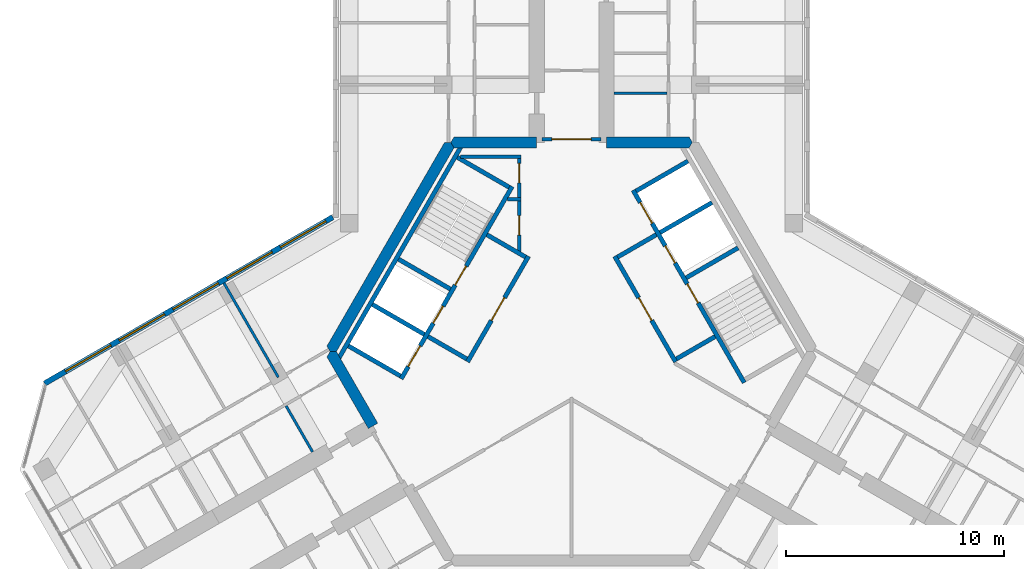
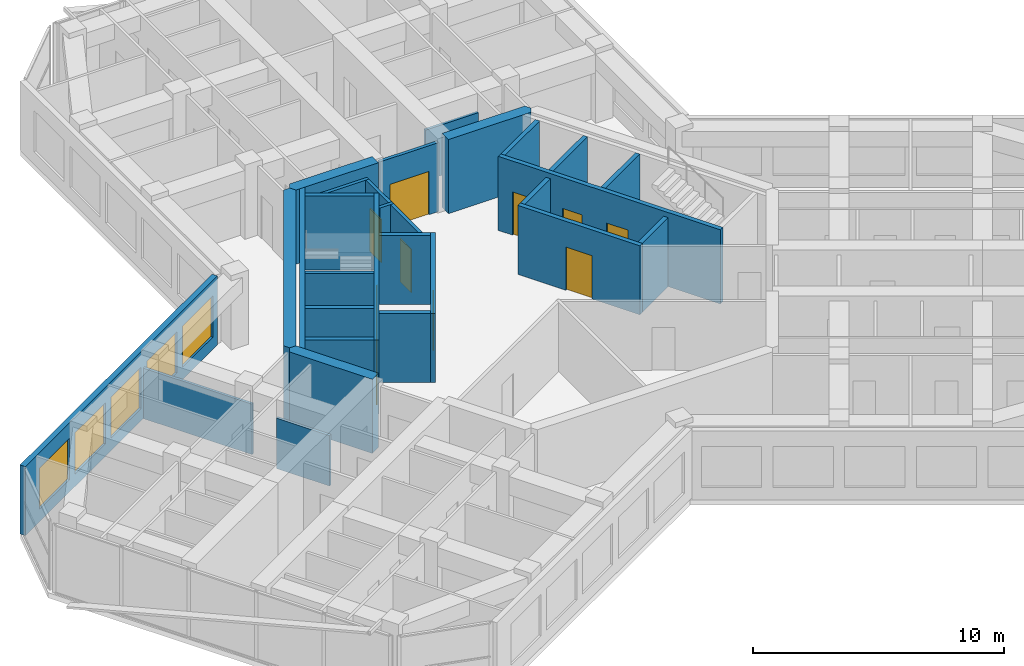
# One storey, part 9 of 14: 28 walls, 11 doors, 5 windows, 16 openings.
"""IFC4 building model written with IfcOpenShell, lengths in metres."""

from ifc_helpers import new_model, si_unit, direction, frame, frame_2d, origin, place, context, subcontext, project, spatial, polyline, rectangle, outline, extrude, material, layer, layer_set, type_object, element, fill, save


model = new_model("IFC4")

# Units and contexts
model_context = context("Model", 3, precision=1e-05, world=origin(), true_north=direction((0.0, 1.0)))
body_context = subcontext(model_context, "Body", "Model", "MODEL_VIEW")
ifc_project = project(units=[si_unit("LENGTHUNIT", "METRE"), si_unit("AREAUNIT", "SQUARE_METRE"), si_unit("VOLUMEUNIT", "CUBIC_METRE"), si_unit("PLANEANGLEUNIT", "RADIAN"), si_unit("MASSUNIT", "GRAM", prefix="KILO")], contexts=[model_context])

# Site, building, storey
site_placement = place(None, origin())
site = spatial("IfcSite", under=ifc_project, at=site_placement, CompositionType="ELEMENT")
building_placement = place(site_placement, origin())
building = spatial("IfcBuilding", under=site, at=building_placement, Name="Kosmar Iwan School Tower", CompositionType="ELEMENT")
storey_placement = place(building_placement, frame((0.0, 0.0, 292.60009765625)))
storey = spatial("IfcBuildingStorey", under=building, at=storey_placement, Name="L74", CompositionType="ELEMENT", Elevation=292.60009765625)

# Wall, openings, doors
ifc_material_1 = material(Name="Gypsum board on steel studs, fire-rated", Category="steel")
ifc_layer_1 = layer(ifc_material_1, 0.14990234375)
ifc_layer_set_1 = layer_set([ifc_layer_1], Name="Core room partition 150")
wall_type_1 = type_object("IfcWallType", Name="Core room partition 150", PredefinedType="PARTITIONING", material=ifc_layer_set_1)
wall_1_placement = place(storey_placement, frame((-2.39990234375, 9.014892578125, 0.0), z_axis=(0.0, 0.0, 1.0), x_axis=(0.0, -1.0, 0.0)))
wall_1 = element("IfcWall", 1, at=wall_1_placement, inside=storey, type_object=wall_type_1, Name="Core room partition L74-CW1", PredefinedType="PARTITIONING", context=body_context, shape_type="SweptSolid", body=[
    extrude(rectangle(XDim=4.484130859375, YDim=0.14990234375, at=frame_2d((2.2421875, 0.0))), origin(), (0.0, 0.0, 1.0), 3.349853515625),
])
opening_1_placement = place(wall_1_placement, frame((0.375, 0.0, 0.0)))
opening_1 = element("IfcOpeningElement", 2, at=opening_1_placement, cuts=wall_1, Name="Opening D14", PredefinedType="OPENING", context=body_context, shape_type="SweptSolid", body=[
    extrude(rectangle(XDim=0.89990234375, YDim=2.10009765625, at=frame_2d((0.449951171875, 1.050048828125))), frame((0.0, 0.0869140625, 0.0), z_axis=(0.0, -1.0, 0.0), x_axis=(1.0, 0.0, 0.0)), (0.0, 0.0, 1.0), 0.173828125),
])
opening_2_placement = place(wall_1_placement, frame((2.77490234375, 0.0, 0.0)))
opening_2 = element("IfcOpeningElement", 3, at=opening_2_placement, cuts=wall_1, Name="Opening D14", PredefinedType="OPENING", context=body_context, shape_type="SweptSolid", body=[
    extrude(rectangle(XDim=0.89990234375, YDim=2.10009765625, at=frame_2d((0.449951171875, 1.050048828125))), frame((0.0, 0.0869140625, 0.0), z_axis=(0.0, -1.0, 0.0), x_axis=(1.0, 0.0, 0.0)), (0.0, 0.0, 1.0), 0.173828125),
])
ifc_material_2 = material(Name="Timber fire door in steel frame", Category="steel")
door_type_1 = type_object("IfcDoorType", Name="Core room door 900x2100", OperationType="SINGLE_SWING_LEFT", PredefinedType="DOOR", material=ifc_material_2)
door_1_placement = place(opening_1_placement, origin())
door_1 = element("IfcDoor", 4, at=door_1_placement, inside=storey, type_object=door_type_1, Name="Electrical riser and switch room door L74 1", OperationType="SINGLE_SWING_LEFT", OverallHeight=2.10009765625, OverallWidth=0.89990234375, PredefinedType="DOOR", context=body_context, shape_type="SweptSolid", body=[
    extrude(rectangle(XDim=0.89990234375, YDim=2.10009765625, at=frame_2d((0.449951171875, 1.050048828125))), frame((0.0, 0.02490234375, 0.0), z_axis=(0.0, -1.0, 0.0), x_axis=(1.0, 0.0, 0.0)), (0.0, 0.0, 1.0), 0.050048828125),
])
fill(opening_1, door_1)
door_2_placement = place(opening_2_placement, origin())
door_2 = element("IfcDoor", 5, at=door_2_placement, inside=storey, type_object=door_type_1, Name="Plumbing and wet riser door L74 2", OperationType="SINGLE_SWING_RIGHT", OverallHeight=2.10009765625, OverallWidth=0.89990234375, PredefinedType="DOOR", context=body_context, shape_type="SweptSolid", body=[
    extrude(rectangle(XDim=0.89990234375, YDim=2.10009765625, at=frame_2d((0.449951171875, 1.050048828125))), frame((0.0, 0.02490234375, 0.0), z_axis=(0.0, -1.0, 0.0), x_axis=(1.0, 0.0, 0.0)), (0.0, 0.0, 1.0), 0.050048828125),
])
fill(opening_2, door_2)

# Walls
wall_2_placement = place(storey_placement, frame((-2.324951171875, 6.985107421875, 0.0), z_axis=(0.0, 0.0, 1.0), x_axis=(-1.0, 0.0, 0.0)))
element("IfcWall", 6, at=wall_2_placement, inside=storey, type_object=wall_type_1, Name="Core room partition L74-CW2", PredefinedType="PARTITIONING", context=body_context, shape_type="SweptSolid", body=[
    extrude(rectangle(XDim=0.623779296875, YDim=0.14990234375, at=frame_2d((0.31201171875, 0.0))), origin(), (0.0, 0.0, 1.0), 3.349853515625),
])
wall_3_placement = place(storey_placement, frame((-5.089599609375, 8.93994140625, 0.0), z_axis=(0.0, 0.0, 1.0), x_axis=(1.0, 0.0, 0.0)))
element("IfcWall", 7, at=wall_3_placement, inside=storey, type_object=wall_type_1, Name="Core room partition L74-CW3", PredefinedType="PARTITIONING", context=body_context, shape_type="SweptSolid", body=[
    extrude(rectangle(XDim=2.7646484375, YDim=0.14990234375, at=frame_2d((1.38232421875, 0.0))), origin(), (0.0, 0.0, 1.0), 3.349853515625),
])
ifc_material_3 = material(Name="Concrete C50/60", Category="concrete")
ifc_layer_2 = layer(ifc_material_3, 0.5)
ifc_layer_set_2 = layer_set([ifc_layer_2], Name="Core wall 500")
wall_type_2 = type_object("IfcWallType", Name="Core wall 500", PredefinedType="SHEAR", material=ifc_layer_set_2)
wall_4_placement = place(storey_placement, origin())
element("IfcWall", 8, at=wall_4_placement, inside=storey, type_object=wall_type_2, Name="Core wall F090a", PredefinedType="SHEAR", context=body_context, shape_type="SweptSolid", body=[
    extrude(outline(polyline([(1.60009765625, 9.35009765625), (5.398193359375, 9.35009765625), (5.54248046875, 9.60009765625), (5.398193359375, 9.85009765625), (1.60009765625, 9.85009765625), (1.60009765625, 9.35009765625)])), origin(), (0.0, 0.0, 1.0), 3.599853515625),
])
wall_5_placement = place(storey_placement, origin())
element("IfcWall", 9, at=wall_5_placement, inside=storey, type_object=wall_type_2, Name="Core wall F090b", PredefinedType="SHEAR", context=body_context, shape_type="SweptSolid", body=[
    extrude(outline(polyline([(-5.398193359375, 9.35009765625), (-1.60009765625, 9.35009765625), (-1.60009765625, 9.85009765625), (-5.398193359375, 9.85009765625), (-5.54248046875, 9.60009765625), (-5.398193359375, 9.35009765625)])), origin(), (0.0, 0.0, 1.0), 3.599853515625),
])
wall_6_placement = place(storey_placement, origin())
element("IfcWall", 10, at=wall_6_placement, inside=storey, type_object=wall_type_2, Name="Core wall F150", PredefinedType="SHEAR", context=body_context, shape_type="SweptSolid", body=[
    extrude(outline(polyline([(-11.085205078125, 0.0), (-10.79638671875, 0.0), (-5.398193359375, 9.35009765625), (-5.54248046875, 9.60009765625), (-5.831298828125, 9.60009765625), (-11.2294921875, 0.25), (-11.085205078125, 0.0)])), origin(), (0.0, 0.0, 1.0), 3.599853515625),
])
wall_7_placement = place(storey_placement, origin())
element("IfcWall", 11, at=wall_7_placement, inside=storey, type_object=wall_type_2, Name="Core wall F210a", PredefinedType="SHEAR", context=body_context, shape_type="SweptSolid", body=[
    extrude(outline(polyline([(-9.330322265625, -3.539306640625), (-8.897216796875, -3.289306640625), (-10.79638671875, 0.0), (-11.085205078125, 0.0), (-11.2294921875, -0.25), (-9.330322265625, -3.539306640625)])), origin(), (0.0, 0.0, 1.0), 3.599853515625),
])

# Wall, opening, door
ifc_material_4 = material(Name="Steel framed glazed screen", Category="steel")
ifc_layer_3 = layer(ifc_material_4, 0.14990234375)
ifc_layer_set_3 = layer_set([ifc_layer_3], Name="Corridor screen wall 150")
wall_type_3 = type_object("IfcWallType", Name="Corridor screen wall 150", PredefinedType="PARTITIONING", material=ifc_layer_set_3)
wall_8_placement = place(storey_placement, frame((1.35009765625, 9.75, 0.0), z_axis=(0.0, 0.0, 1.0), x_axis=(-1.0, 0.0, 0.0)))
wall_8 = element("IfcWall", 12, at=wall_8_placement, inside=storey, type_object=wall_type_3, Name="Corridor screen A L74", PredefinedType="PARTITIONING", context=body_context, shape_type="SweptSolid", body=[
    extrude(rectangle(XDim=2.7001953125, YDim=0.14990234375, at=frame_2d((1.35009765625, 0.0))), origin(), (0.0, 0.0, 1.0), 3.349853515625),
])
opening_3_placement = place(wall_8_placement, frame((0.449951171875, 0.0, 0.0)))
opening_3 = element("IfcOpeningElement", 13, at=opening_3_placement, cuts=wall_8, Name="Opening D9", PredefinedType="OPENING", context=body_context, shape_type="SweptSolid", body=[
    extrude(rectangle(XDim=1.800048828125, YDim=2.10009765625, at=frame_2d((0.89990234375, 1.050048828125))), frame((0.0, 0.0869140625, 0.0), z_axis=(0.0, -1.0, 0.0), x_axis=(1.0, 0.0, 0.0)), (0.0, 0.0, 1.0), 0.173828125),
])
ifc_material_5 = material(Name="Steel framed glazed smoke door", Category="steel")
door_type_2 = type_object("IfcDoorType", Name="Corridor smoke door pair 1800x2100", OperationType="DOUBLE_DOOR_DOUBLE_SWING", PredefinedType="DOOR", material=ifc_material_5)
door_3_placement = place(opening_3_placement, origin())
door_3 = element("IfcDoor", 14, at=door_3_placement, inside=storey, type_object=door_type_2, Name="Corridor doors A L74", OperationType="DOUBLE_DOOR_DOUBLE_SWING", OverallHeight=2.10009765625, OverallWidth=1.800048828125, PredefinedType="DOOR", context=body_context, shape_type="SweptSolid", body=[
    extrude(rectangle(XDim=1.800048828125, YDim=2.10009765625, at=frame_2d((0.89990234375, 1.050048828125))), frame((0.0, 0.02490234375, 0.0), z_axis=(0.0, -1.0, 0.0), x_axis=(1.0, 0.0, 0.0)), (0.0, 0.0, 1.0), 0.050048828125),
])
fill(opening_3, door_3)

# Walls
ifc_material_6 = material(Name="Gypsum board on steel studs", Category="steel")
ifc_layer_4 = layer(ifc_material_6, 0.1201171875)
ifc_layer_set_4 = layer_set([ifc_layer_4], Name="Dwelling partition 120")
wall_type_4 = type_object("IfcWallType", Name="Dwelling partition 120", PredefinedType="PARTITIONING", material=ifc_layer_set_4)
wall_9_placement = place(storey_placement, frame((1.949951171875, 11.85009765625, 0.0), z_axis=(0.0, 0.0, 1.0), x_axis=(1.0, 0.0, 0.0)))
element("IfcWall", 15, at=wall_9_placement, inside=storey, type_object=wall_type_4, Name="Partition L74-AR1-Y1", PredefinedType="PARTITIONING", context=body_context, shape_type="SweptSolid", body=[
    extrude(rectangle(XDim=2.43994140625, YDim=0.1201171875, at=frame_2d((1.219970703125, 0.0))), origin(), (0.0, 0.0, 1.0), 2.449951171875),
])
wall_10_placement = place(storey_placement, frame((-13.4638671875, -1.179931640625, 0.0), z_axis=(0.0, 0.0, 1.0), x_axis=(-0.499975153383, 0.86603974851, 0.0)))
element("IfcWall", 16, at=wall_10_placement, inside=storey, type_object=wall_type_4, Name="Partition L74-BR1-X1", PredefinedType="PARTITIONING", context=body_context, shape_type="SweptSolid", body=[
    extrude(rectangle(XDim=4.989990234375, YDim=0.1201171875, at=frame_2d((2.4951171875, 0.0))), origin(), (0.0, 0.0, 1.0), 2.449951171875),
])
wall_11_placement = place(storey_placement, frame((-11.886962890625, -4.611328125, 0.0), z_axis=(0.0, 0.0, 1.0), x_axis=(-0.499959183527, 0.866048967903, 0.0)))
element("IfcWall", 17, at=wall_11_placement, inside=storey, type_object=wall_type_4, Name="Partition L74-BR1-Y1", PredefinedType="PARTITIONING", context=body_context, shape_type="SweptSolid", body=[
    extrude(rectangle(XDim=2.440185546875, YDim=0.1201171875, at=frame_2d((1.22021484375, 0.0))), origin(), (0.0, 0.0, 1.0), 2.449951171875),
])

# Wall, openings, windows
ifc_material_7 = material(Name="Black aluminium rainscreen on insulated framing", Category="aluminium")
ifc_layer_5 = layer(ifc_material_7, 0.25)
ifc_layer_set_5 = layer_set([ifc_layer_5], Name="External wall rainscreen 250")
wall_type_5 = type_object("IfcWallType", Name="External wall rainscreen 250", PredefinedType="SOLIDWALL", material=ifc_layer_set_5)
wall_12_placement = place(storey_placement, frame((-10.962890625, 6.170166015625, 0.0), z_axis=(0.0, 0.0, 1.0), x_axis=(-0.866025637253, -0.499999595621, 0.0)))
wall_12 = element("IfcWall", 18, at=wall_12_placement, inside=storey, type_object=wall_type_5, Name="External wall BR L74", PredefinedType="SOLIDWALL", context=body_context, shape_type="SweptSolid", body=[
    extrude(rectangle(XDim=15.2763671875, YDim=0.25, at=frame_2d((7.63818359375, 0.0))), origin(), (0.0, 0.0, 1.0), 3.349853515625),
])
opening_4_placement = place(wall_12_placement, frame((0.365966796875, 0.0, 0.60009765625)))
opening_4 = element("IfcOpeningElement", 19, at=opening_4_placement, cuts=wall_12, Name="Opening W6", PredefinedType="OPENING", context=body_context, shape_type="SweptSolid", body=[
    extrude(rectangle(XDim=2.39990234375, YDim=2.0, at=frame_2d((1.199951171875, 1.0))), frame((0.0, 0.136962890625, 0.0), z_axis=(0.0, -1.0, 0.0), x_axis=(1.0, 0.0, 0.0)), (0.0, 0.0, 1.0), 0.27392578125),
])
opening_5_placement = place(wall_12_placement, frame((3.216064453125, 0.0, 0.60009765625)))
opening_5 = element("IfcOpeningElement", 20, at=opening_5_placement, cuts=wall_12, Name="Opening W6", PredefinedType="OPENING", context=body_context, shape_type="SweptSolid", body=[
    extrude(rectangle(XDim=2.39990234375, YDim=2.0, at=frame_2d((1.199951171875, 1.0))), frame((0.0, 0.136962890625, 0.0), z_axis=(0.0, -1.0, 0.0), x_axis=(1.0, 0.0, 0.0)), (0.0, 0.0, 1.0), 0.27392578125),
])
opening_6_placement = place(wall_12_placement, frame((6.06591796875, 0.0, 0.60009765625)))
opening_6 = element("IfcOpeningElement", 21, at=opening_6_placement, cuts=wall_12, Name="Opening W6", PredefinedType="OPENING", context=body_context, shape_type="SweptSolid", body=[
    extrude(rectangle(XDim=2.39990234375, YDim=2.0, at=frame_2d((1.199951171875, 1.0))), frame((0.0, 0.136962890625, 0.0), z_axis=(0.0, -1.0, 0.0), x_axis=(1.0, 0.0, 0.0)), (0.0, 0.0, 1.0), 0.27392578125),
])
opening_7_placement = place(wall_12_placement, frame((8.916015625, 0.0, 0.60009765625)))
opening_7 = element("IfcOpeningElement", 22, at=opening_7_placement, cuts=wall_12, Name="Opening W6", PredefinedType="OPENING", context=body_context, shape_type="SweptSolid", body=[
    extrude(rectangle(XDim=2.39990234375, YDim=2.0, at=frame_2d((1.199951171875, 1.0))), frame((0.0, 0.136962890625, 0.0), z_axis=(0.0, -1.0, 0.0), x_axis=(1.0, 0.0, 0.0)), (0.0, 0.0, 1.0), 0.27392578125),
])
opening_8_placement = place(wall_12_placement, frame((11.76611328125, 0.0, 0.60009765625)))
opening_8 = element("IfcOpeningElement", 23, at=opening_8_placement, cuts=wall_12, Name="Opening W6", PredefinedType="OPENING", context=body_context, shape_type="SweptSolid", body=[
    extrude(rectangle(XDim=2.39990234375, YDim=2.0, at=frame_2d((1.199951171875, 1.0))), frame((0.0, 0.136962890625, 0.0), z_axis=(0.0, -1.0, 0.0), x_axis=(1.0, 0.0, 0.0)), (0.0, 0.0, 1.0), 0.27392578125),
])
ifc_material_8 = material(Name="Black aluminium frame with dark triple glazing", Category="aluminium")
window_type = type_object("IfcWindowType", Name="Window 2400x2000", PartitioningType="SINGLE_PANEL", PredefinedType="WINDOW", material=ifc_material_8)
window_1_placement = place(opening_4_placement, origin())
window_1 = element("IfcWindow", 24, at=window_1_placement, inside=storey, type_object=window_type, Name="Window BR L74 -1", OverallHeight=2.0, OverallWidth=2.39990234375, PartitioningType="SINGLE_PANEL", PredefinedType="WINDOW", context=body_context, shape_type="SweptSolid", body=[
    extrude(rectangle(XDim=2.39990234375, YDim=2.0, at=frame_2d((1.199951171875, 1.0))), frame((0.0, 0.030029296875, 0.0), z_axis=(0.0, -1.0, 0.0), x_axis=(1.0, 0.0, 0.0)), (0.0, 0.0, 1.0), 0.06005859375),
])
fill(opening_4, window_1)
window_2_placement = place(opening_5_placement, origin())
window_2 = element("IfcWindow", 25, at=window_2_placement, inside=storey, type_object=window_type, Name="Window BR L74 0", OverallHeight=2.0, OverallWidth=2.39990234375, PartitioningType="SINGLE_PANEL", PredefinedType="WINDOW", context=body_context, shape_type="SweptSolid", body=[
    extrude(rectangle(XDim=2.39990234375, YDim=2.0, at=frame_2d((1.199951171875, 1.0))), frame((0.0, 0.030029296875, 0.0), z_axis=(0.0, -1.0, 0.0), x_axis=(1.0, 0.0, 0.0)), (0.0, 0.0, 1.0), 0.06005859375),
])
fill(opening_5, window_2)
window_3_placement = place(opening_6_placement, origin())
window_3 = element("IfcWindow", 26, at=window_3_placement, inside=storey, type_object=window_type, Name="Window BR L74 1", OverallHeight=2.0, OverallWidth=2.39990234375, PartitioningType="SINGLE_PANEL", PredefinedType="WINDOW", context=body_context, shape_type="SweptSolid", body=[
    extrude(rectangle(XDim=2.39990234375, YDim=2.0, at=frame_2d((1.199951171875, 1.0))), frame((0.0, 0.030029296875, 0.0), z_axis=(0.0, -1.0, 0.0), x_axis=(1.0, 0.0, 0.0)), (0.0, 0.0, 1.0), 0.06005859375),
])
fill(opening_6, window_3)
window_4_placement = place(opening_7_placement, origin())
window_4 = element("IfcWindow", 27, at=window_4_placement, inside=storey, type_object=window_type, Name="Window BR L74 2", OverallHeight=2.0, OverallWidth=2.39990234375, PartitioningType="SINGLE_PANEL", PredefinedType="WINDOW", context=body_context, shape_type="SweptSolid", body=[
    extrude(rectangle(XDim=2.39990234375, YDim=2.0, at=frame_2d((1.199951171875, 1.0))), frame((0.0, 0.030029296875, 0.0), z_axis=(0.0, -1.0, 0.0), x_axis=(1.0, 0.0, 0.0)), (0.0, 0.0, 1.0), 0.06005859375),
])
fill(opening_7, window_4)
window_5_placement = place(opening_8_placement, origin())
window_5 = element("IfcWindow", 28, at=window_5_placement, inside=storey, type_object=window_type, Name="Window BR L74 3", OverallHeight=2.0, OverallWidth=2.39990234375, PartitioningType="SINGLE_PANEL", PredefinedType="WINDOW", context=body_context, shape_type="SweptSolid", body=[
    extrude(rectangle(XDim=2.39990234375, YDim=2.0, at=frame_2d((1.199951171875, 1.0))), frame((0.0, 0.030029296875, 0.0), z_axis=(0.0, -1.0, 0.0), x_axis=(1.0, 0.0, 0.0)), (0.0, 0.0, 1.0), 0.06005859375),
])
fill(opening_8, window_5)

# Wall, opening, door
ifc_material_9 = material(Name="Concrete block masonry", Category="masonry")
ifc_layer_6 = layer(ifc_material_9, 0.199951171875)
ifc_layer_set_6 = layer_set([ifc_layer_6], Name="Fire lobby wall 200")
wall_type_6 = type_object("IfcWallType", Name="Fire lobby wall 200", PredefinedType="PARTITIONING", material=ifc_layer_set_6)
wall_13_placement = place(storey_placement, frame((-1.9775390625, 4.374755859375, 0.0), z_axis=(0.0, 0.0, 1.0), x_axis=(-0.500016814911, -0.866015695474, 0.0)))
wall_13 = element("IfcWall", 29, at=wall_13_placement, inside=storey, type_object=wall_type_6, Name="Firefighting lobby wall ST2", PredefinedType="PARTITIONING", context=body_context, shape_type="SweptSolid", body=[
    extrude(rectangle(XDim=5.599853515625, YDim=0.199951171875, at=frame_2d((2.7998046875, 0.0))), origin(), (0.0, 0.0, 1.0), 3.349853515625),
])
opening_9_placement = place(wall_13_placement, frame((2.199951171875, 0.0, 0.0)))
opening_9 = element("IfcOpeningElement", 30, at=opening_9_placement, cuts=wall_13, Name="Opening D7", PredefinedType="OPENING", context=body_context, shape_type="SweptSolid", body=[
    extrude(rectangle(XDim=1.199951171875, YDim=2.10009765625, at=frame_2d((0.60009765625, 1.050048828125))), frame((0.0, 0.112060546875, 0.0), z_axis=(0.0, -1.0, 0.0), x_axis=(1.0, 0.0, 0.0)), (0.0, 0.0, 1.0), 0.223876953125),
])
ifc_material_10 = material(Name="Steel fire door", Category="steel")
door_type_3 = type_object("IfcDoorType", Name="Fire lobby door 1200x2100", OperationType="SINGLE_SWING_LEFT", PredefinedType="DOOR", material=ifc_material_10)
door_4_placement = place(opening_9_placement, origin())
door_4 = element("IfcDoor", 31, at=door_4_placement, inside=storey, type_object=door_type_3, Name="Firefighting lobby door ST2 L74", OperationType="SINGLE_SWING_LEFT", OverallHeight=2.10009765625, OverallWidth=1.199951171875, PredefinedType="DOOR", context=body_context, shape_type="SweptSolid", body=[
    extrude(rectangle(XDim=1.199951171875, YDim=2.10009765625, at=frame_2d((0.60009765625, 1.050048828125))), frame((0.0, 0.02490234375, 0.0), z_axis=(0.0, -1.0, 0.0), x_axis=(1.0, 0.0, 0.0)), (0.0, 0.0, 1.0), 0.050048828125),
])
fill(opening_9, door_4)

# Walls
wall_14_placement = place(storey_placement, frame((-2.114013671875, 4.33837890625, 0.0), z_axis=(0.0, 0.0, 1.0), x_axis=(-0.866050731258, 0.499956128963, 0.0)))
element("IfcWall", 32, at=wall_14_placement, inside=storey, type_object=wall_type_6, Name="Firefighting lobby wall ST2", PredefinedType="PARTITIONING", context=body_context, shape_type="SweptSolid", body=[
    extrude(rectangle(XDim=2.050048828125, YDim=0.199951171875, at=frame_2d((1.02490234375, 0.0))), origin(), (0.0, 0.0, 1.0), 3.349853515625),
])
wall_15_placement = place(storey_placement, frame((-4.814208984375, -0.33837890625, 0.0), z_axis=(0.0, 0.0, 1.0), x_axis=(-0.865969381856, 0.500097020274, 0.0)))
element("IfcWall", 33, at=wall_15_placement, inside=storey, type_object=wall_type_6, Name="Firefighting lobby wall ST2", PredefinedType="PARTITIONING", context=body_context, shape_type="SweptSolid", body=[
    extrude(rectangle(XDim=2.0498046875, YDim=0.199951171875, at=frame_2d((1.02490234375, 0.0))), origin(), (0.0, 0.0, 1.0), 3.349853515625),
])

# Wall, opening, door
wall_16_placement = place(storey_placement, frame((4.777587890625, -0.474853515625, 0.0), z_axis=(0.0, 0.0, 1.0), x_axis=(-0.500016814911, 0.866015695474, 0.0)))
wall_16 = element("IfcWall", 34, at=wall_16_placement, inside=storey, type_object=wall_type_6, Name="Firefighting lobby wall ST1", PredefinedType="PARTITIONING", context=body_context, shape_type="SweptSolid", body=[
    extrude(rectangle(XDim=5.599853515625, YDim=0.199951171875, at=frame_2d((2.7998046875, 0.0))), origin(), (0.0, 0.0, 1.0), 3.349853515625),
])
opening_10_placement = place(wall_16_placement, frame((2.199951171875, 0.0, 0.0)))
opening_10 = element("IfcOpeningElement", 35, at=opening_10_placement, cuts=wall_16, Name="Opening D7", PredefinedType="OPENING", context=body_context, shape_type="SweptSolid", body=[
    extrude(rectangle(XDim=1.199951171875, YDim=2.10009765625, at=frame_2d((0.60009765625, 1.050048828125))), frame((0.0, 0.112060546875, 0.0), z_axis=(0.0, -1.0, 0.0), x_axis=(1.0, 0.0, 0.0)), (0.0, 0.0, 1.0), 0.223876953125),
])
door_5_placement = place(opening_10_placement, origin())
door_5 = element("IfcDoor", 36, at=door_5_placement, inside=storey, type_object=door_type_3, Name="Firefighting lobby door ST1 L74", OperationType="SINGLE_SWING_LEFT", OverallHeight=2.10009765625, OverallWidth=1.199951171875, PredefinedType="DOOR", context=body_context, shape_type="SweptSolid", body=[
    extrude(rectangle(XDim=1.199951171875, YDim=2.10009765625, at=frame_2d((0.60009765625, 1.050048828125))), frame((0.0, 0.02490234375, 0.0), z_axis=(0.0, -1.0, 0.0), x_axis=(1.0, 0.0, 0.0)), (0.0, 0.0, 1.0), 0.050048828125),
])
fill(opening_10, door_5)

# Walls
wall_17_placement = place(storey_placement, frame((4.814208984375, -0.33837890625, 0.0), z_axis=(0.0, 0.0, 1.0), x_axis=(0.865969381856, 0.500097020274, 0.0)))
element("IfcWall", 37, at=wall_17_placement, inside=storey, type_object=wall_type_6, Name="Firefighting lobby wall ST1", PredefinedType="PARTITIONING", context=body_context, shape_type="SweptSolid", body=[
    extrude(rectangle(XDim=2.0498046875, YDim=0.199951171875, at=frame_2d((1.02490234375, 0.0))), origin(), (0.0, 0.0, 1.0), 3.349853515625),
])
wall_18_placement = place(storey_placement, frame((2.114013671875, 4.33837890625, 0.0), z_axis=(0.0, 0.0, 1.0), x_axis=(0.866050731258, 0.499956128963, 0.0)))
element("IfcWall", 38, at=wall_18_placement, inside=storey, type_object=wall_type_6, Name="Firefighting lobby wall ST1", PredefinedType="PARTITIONING", context=body_context, shape_type="SweptSolid", body=[
    extrude(rectangle(XDim=2.050048828125, YDim=0.199951171875, at=frame_2d((1.02490234375, 0.0))), origin(), (0.0, 0.0, 1.0), 3.349853515625),
])

# Wall, openings, doors
ifc_material_11 = material(Name="Concrete C50/60", Category="concrete")
ifc_layer_7 = layer(ifc_material_11, 0.199951171875)
ifc_layer_set_7 = layer_set([ifc_layer_7], Name="Lift shaft wall 200")
wall_type_7 = type_object("IfcWallType", Name="Lift shaft wall 200", PredefinedType="SHEAR", material=ifc_layer_set_7)
wall_19_placement = place(storey_placement, frame((-2.72607421875, 7.578369140625, 0.0), z_axis=(0.0, 0.0, 1.0), x_axis=(-0.500005610874, -0.86602216432, 0.0)))
wall_19 = element("IfcWall", 39, at=wall_19_placement, inside=storey, type_object=wall_type_7, Name="Lift and stair front wall AB", PredefinedType="SHEAR", context=body_context, shape_type="SweptSolid", body=[
    extrude(rectangle(XDim=10.2001953125, YDim=0.199951171875, at=frame_2d((5.10009765625, 0.0))), origin(), (0.0, 0.0, 1.0), 3.599853515625),
])
opening_11_placement = place(wall_19_placement, frame((6.35009765625, 0.0, 0.0)))
opening_11 = element("IfcOpeningElement", 40, at=opening_11_placement, cuts=wall_19, Name="Opening LD2", PredefinedType="OPENING", context=body_context, shape_type="SweptSolid", body=[
    extrude(rectangle(XDim=0.89990234375, YDim=2.10009765625, at=frame_2d((0.449951171875, 1.050048828125))), frame((0.0, 0.112060546875, 0.0), z_axis=(0.0, -1.0, 0.0), x_axis=(1.0, 0.0, 0.0)), (0.0, 0.0, 1.0), 0.223876953125),
])
opening_12_placement = place(wall_19_placement, frame((8.449951171875, 0.0, 0.0)))
opening_12 = element("IfcOpeningElement", 41, at=opening_12_placement, cuts=wall_19, Name="Opening LD1", PredefinedType="OPENING", context=body_context, shape_type="SweptSolid", body=[
    extrude(rectangle(XDim=1.10009765625, YDim=2.10009765625, at=frame_2d((0.550048828125, 1.050048828125))), frame((0.0, 0.112060546875, 0.0), z_axis=(0.0, -1.0, 0.0), x_axis=(1.0, 0.0, 0.0)), (0.0, 0.0, 1.0), 0.223876953125),
])
opening_13_placement = place(wall_19_placement, frame((4.22998046875, 0.0, 0.0)))
opening_13 = element("IfcOpeningElement", 42, at=opening_13_placement, cuts=wall_19, Name="Opening D6", PredefinedType="OPENING", context=body_context, shape_type="SweptSolid", body=[
    extrude(rectangle(XDim=1.0, YDim=2.10009765625, at=frame_2d((0.5, 1.050048828125))), frame((0.0, 0.112060546875, 0.0), z_axis=(0.0, -1.0, 0.0), x_axis=(1.0, 0.0, 0.0)), (0.0, 0.0, 1.0), 0.223876953125),
])
ifc_material_12 = material(Name="Stainless steel sliding lift door", Category="steel")
door_type_4 = type_object("IfcDoorType", Name="Firefighting lift landing door 900x2100", OperationType="SLIDING_TO_LEFT", PredefinedType="DOOR", material=ifc_material_12)
door_6_placement = place(opening_11_placement, origin())
door_6 = element("IfcDoor", 43, at=door_6_placement, inside=storey, type_object=door_type_4, Name="Lift FF2 landing door L74", OperationType="SLIDING_TO_LEFT", OverallHeight=2.10009765625, OverallWidth=0.89990234375, PredefinedType="DOOR", context=body_context, shape_type="SweptSolid", body=[
    extrude(rectangle(XDim=0.89990234375, YDim=2.10009765625, at=frame_2d((0.449951171875, 1.050048828125))), frame((0.0, 0.02490234375, 0.0), z_axis=(0.0, -1.0, 0.0), x_axis=(1.0, 0.0, 0.0)), (0.0, 0.0, 1.0), 0.050048828125),
])
fill(opening_11, door_6)
ifc_material_13 = material(Name="Stainless steel sliding lift door", Category="steel")
door_type_5 = type_object("IfcDoorType", Name="Lift landing door 1100x2100", OperationType="SLIDING_TO_LEFT", PredefinedType="DOOR", material=ifc_material_13)
door_7_placement = place(opening_12_placement, origin())
door_7 = element("IfcDoor", 44, at=door_7_placement, inside=storey, type_object=door_type_5, Name="Lift PL6 landing door L74", OperationType="SLIDING_TO_LEFT", OverallHeight=2.10009765625, OverallWidth=1.10009765625, PredefinedType="DOOR", context=body_context, shape_type="SweptSolid", body=[
    extrude(rectangle(XDim=1.10009765625, YDim=2.10009765625, at=frame_2d((0.550048828125, 1.050048828125))), frame((0.0, 0.02490234375, 0.0), z_axis=(0.0, -1.0, 0.0), x_axis=(1.0, 0.0, 0.0)), (0.0, 0.0, 1.0), 0.050048828125),
])
fill(opening_12, door_7)
ifc_material_14 = material(Name="Steel fire door", Category="steel")
door_type_6 = type_object("IfcDoorType", Name="Stair door 1000x2100", OperationType="SINGLE_SWING_LEFT", PredefinedType="DOOR", material=ifc_material_14)
door_8_placement = place(opening_13_placement, origin())
door_8 = element("IfcDoor", 45, at=door_8_placement, inside=storey, type_object=door_type_6, Name="Stair ST2 door L74", OperationType="SINGLE_SWING_LEFT", OverallHeight=2.10009765625, OverallWidth=1.0, PredefinedType="DOOR", context=body_context, shape_type="SweptSolid", body=[
    extrude(rectangle(XDim=1.0, YDim=2.10009765625, at=frame_2d((0.5, 1.050048828125))), frame((0.0, 0.02490234375, 0.0), z_axis=(0.0, -1.0, 0.0), x_axis=(1.0, 0.0, 0.0)), (0.0, 0.0, 1.0), 0.050048828125),
])
fill(opening_13, door_8)

# Walls
wall_20_placement = place(storey_placement, frame((-5.08056640625, 9.39990234375, 0.0), z_axis=(0.0, 0.0, 1.0), x_axis=(-0.500004846395, -0.866022605699, 0.0)))
element("IfcWall", 46, at=wall_20_placement, inside=storey, type_object=wall_type_7, Name="Lift and stair back wall AB", PredefinedType="SHEAR", context=body_context, shape_type="SweptSolid", body=[
    extrude(rectangle(XDim=11.20068359375, YDim=0.199951171875, at=frame_2d((5.600341796875, 0.0))), origin(), (0.0, 0.0, 1.0), 3.599853515625),
])
for number, where, z_axis, x_axis, name in (
    (47, (-6.7626953125, 0.78662109375, 0.0), (0.0, 0.0, 1.0), (-0.866027397988, 0.499996545922, 0.0), "Lift shaft wall AB 1"),
    (48, (-7.862548828125, -1.118408203125, 0.0), (0.0, 0.0, 1.0), (-0.866027397988, 0.499996545922, 0.0), "Lift shaft wall AB 2"),
):
    element("IfcWall", number, at=place(storey_placement, frame(where, z_axis=z_axis, x_axis=x_axis)), inside=storey, type_object=wall_type_7, Name=name, PredefinedType="SHEAR", context=body_context, shape_type="SweptSolid", body=[
        extrude(rectangle(XDim=2.75, YDim=0.199951171875, at=frame_2d((1.375, 0.0))), origin(), (0.0, 0.0, 1.0), 3.599853515625),
    ])

# Wall, openings, doors
wall_21_placement = place(storey_placement, frame((7.926025390625, -1.42822265625, 0.0), z_axis=(0.0, 0.0, 1.0), x_axis=(-0.499998023675, 0.866026544813, 0.0)))
wall_21 = element("IfcWall", 49, at=wall_21_placement, inside=storey, type_object=wall_type_7, Name="Lift and stair front wall AC", PredefinedType="SHEAR", context=body_context, shape_type="SweptSolid", body=[
    extrude(rectangle(XDim=10.19970703125, YDim=0.199951171875, at=frame_2d((5.099853515625, 0.0))), origin(), (0.0, 0.0, 1.0), 3.599853515625),
])
opening_14_placement = place(wall_21_placement, frame((6.35009765625, 0.0, 0.0)))
opening_14 = element("IfcOpeningElement", 50, at=opening_14_placement, cuts=wall_21, Name="Opening LD2", PredefinedType="OPENING", context=body_context, shape_type="SweptSolid", body=[
    extrude(rectangle(XDim=0.89990234375, YDim=2.10009765625, at=frame_2d((0.449951171875, 1.050048828125))), frame((0.0, 0.112060546875, 0.0), z_axis=(0.0, -1.0, 0.0), x_axis=(1.0, 0.0, 0.0)), (0.0, 0.0, 1.0), 0.223876953125),
])
opening_15_placement = place(wall_21_placement, frame((8.449951171875, 0.0, 0.0)))
opening_15 = element("IfcOpeningElement", 51, at=opening_15_placement, cuts=wall_21, Name="Opening LD1", PredefinedType="OPENING", context=body_context, shape_type="SweptSolid", body=[
    extrude(rectangle(XDim=1.10009765625, YDim=2.10009765625, at=frame_2d((0.550048828125, 1.050048828125))), frame((0.0, 0.112060546875, 0.0), z_axis=(0.0, -1.0, 0.0), x_axis=(1.0, 0.0, 0.0)), (0.0, 0.0, 1.0), 0.223876953125),
])
opening_16_placement = place(wall_21_placement, frame((4.22998046875, 0.0, 0.0)))
opening_16 = element("IfcOpeningElement", 52, at=opening_16_placement, cuts=wall_21, Name="Opening D6", PredefinedType="OPENING", context=body_context, shape_type="SweptSolid", body=[
    extrude(rectangle(XDim=1.0, YDim=2.10009765625, at=frame_2d((0.5, 1.050048828125))), frame((0.0, 0.112060546875, 0.0), z_axis=(0.0, -1.0, 0.0), x_axis=(1.0, 0.0, 0.0)), (0.0, 0.0, 1.0), 0.223876953125),
])
door_9_placement = place(opening_14_placement, origin())
door_9 = element("IfcDoor", 53, at=door_9_placement, inside=storey, type_object=door_type_4, Name="Lift FF1 landing door L74", OperationType="SLIDING_TO_LEFT", OverallHeight=2.10009765625, OverallWidth=0.89990234375, PredefinedType="DOOR", context=body_context, shape_type="SweptSolid", body=[
    extrude(rectangle(XDim=0.89990234375, YDim=2.10009765625, at=frame_2d((0.449951171875, 1.050048828125))), frame((0.0, 0.02490234375, 0.0), z_axis=(0.0, -1.0, 0.0), x_axis=(1.0, 0.0, 0.0)), (0.0, 0.0, 1.0), 0.050048828125),
])
fill(opening_14, door_9)
door_10_placement = place(opening_15_placement, origin())
door_10 = element("IfcDoor", 54, at=door_10_placement, inside=storey, type_object=door_type_5, Name="Lift PL5 landing door L74", OperationType="SLIDING_TO_LEFT", OverallHeight=2.10009765625, OverallWidth=1.10009765625, PredefinedType="DOOR", context=body_context, shape_type="SweptSolid", body=[
    extrude(rectangle(XDim=1.10009765625, YDim=2.10009765625, at=frame_2d((0.550048828125, 1.050048828125))), frame((0.0, 0.02490234375, 0.0), z_axis=(0.0, -1.0, 0.0), x_axis=(1.0, 0.0, 0.0)), (0.0, 0.0, 1.0), 0.050048828125),
])
fill(opening_15, door_10)
door_11_placement = place(opening_16_placement, origin())
door_11 = element("IfcDoor", 55, at=door_11_placement, inside=storey, type_object=door_type_6, Name="Stair ST1 door L74", OperationType="SINGLE_SWING_LEFT", OverallHeight=2.10009765625, OverallWidth=1.0, PredefinedType="DOOR", context=body_context, shape_type="SweptSolid", body=[
    extrude(rectangle(XDim=1.0, YDim=2.10009765625, at=frame_2d((0.5, 1.050048828125))), frame((0.0, 0.02490234375, 0.0), z_axis=(0.0, -1.0, 0.0), x_axis=(1.0, 0.0, 0.0)), (0.0, 0.0, 1.0), 0.050048828125),
])
fill(opening_16, door_11)

# Walls
for number, where, z_axis, x_axis, name in (
    (56, (4.062744140625, 5.46337890625, 0.0), (0.0, 0.0, 1.0), (0.866027397988, 0.499996545922, 0.0), "Lift shaft wall AC 1"),
    (57, (2.962646484375, 7.368408203125, 0.0), (0.0, 0.0, 1.0), (0.866027397988, 0.499996545922, 0.0), "Lift shaft wall AC 2"),
):
    element("IfcWall", number, at=place(storey_placement, frame(where, z_axis=z_axis, x_axis=x_axis)), inside=storey, type_object=wall_type_7, Name=name, PredefinedType="SHEAR", context=body_context, shape_type="SweptSolid", body=[
        extrude(rectangle(XDim=2.75, YDim=0.199951171875, at=frame_2d((1.375, 0.0))), origin(), (0.0, 0.0, 1.0), 3.599853515625),
    ])
ifc_material_15 = material(Name="Concrete C50/60", Category="concrete")
ifc_layer_8 = layer(ifc_material_15, 0.199951171875)
ifc_layer_set_8 = layer_set([ifc_layer_8], Name="Stair enclosure wall 200")
wall_type_8 = type_object("IfcWallType", Name="Stair enclosure wall 200", PredefinedType="SHEAR", material=ifc_layer_set_8)
for number, where, z_axis, x_axis, name in (
    (58, (-2.862548828125, 7.541748046875, 0.0), (0.0, 0.0, 1.0), (-0.866027397988, 0.499996545922, 0.0), "Stair ST2 wall"),
    (59, (-5.562744140625, 2.865234375, 0.0), (0.0, 0.0, 1.0), (-0.866027397988, 0.499996545922, 0.0), "Stair ST2 wall"),
    (60, (5.2626953125, 3.384765625, 0.0), (0.0, 0.0, 1.0), (0.866027397988, 0.499996545922, 0.0), "Stair ST1 wall"),
):
    element("IfcWall", number, at=place(storey_placement, frame(where, z_axis=z_axis, x_axis=x_axis)), inside=storey, type_object=wall_type_8, Name=name, PredefinedType="SHEAR", context=body_context, shape_type="SweptSolid", body=[
        extrude(rectangle(XDim=2.75, YDim=0.199951171875, at=frame_2d((1.375, 0.0))), origin(), (0.0, 0.0, 1.0), 3.599853515625),
    ])

save(model, "model.ifc")
